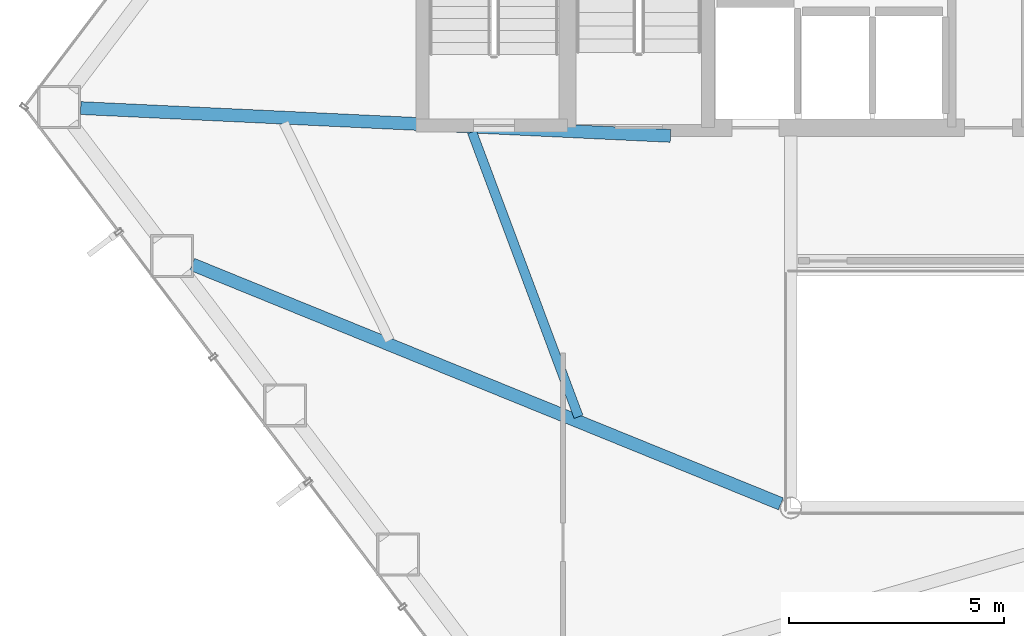
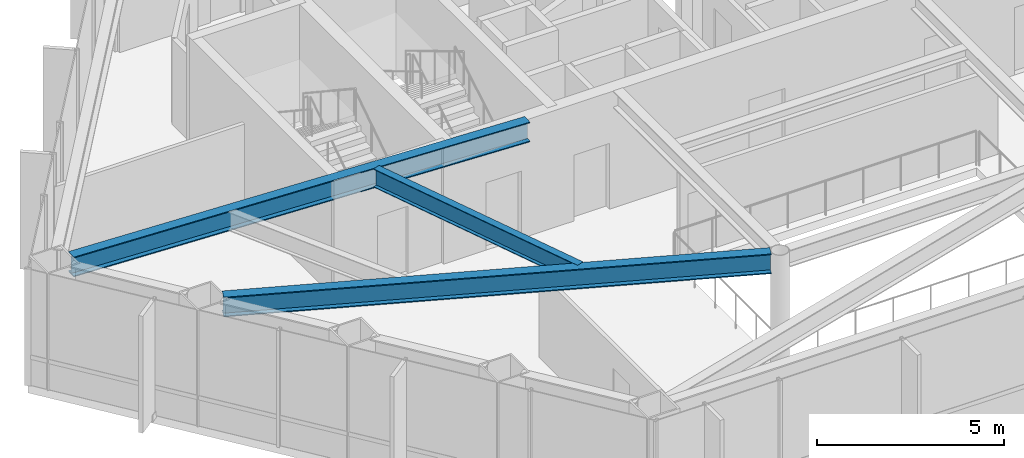
# One storey, part 4 of 26: 3 beams.
"""IFC4 building model written with IfcOpenShell, lengths in metres."""

from ifc_helpers import new_model, si_unit, direction, frame, origin, origin_2d, place, context, subcontext, project, spatial, i_section, extrude, material, material_profile, profile_set, type_object, element, save


model = new_model("IFC4")

# Units and contexts
model_context = context("Model", 3, precision=1e-05, world=origin(), true_north=direction((0.0, 1.0)))
body_context = subcontext(model_context, "Body", "Model", "MODEL_VIEW")
ifc_project = project(units=[si_unit("LENGTHUNIT", "METRE"), si_unit("AREAUNIT", "SQUARE_METRE"), si_unit("VOLUMEUNIT", "CUBIC_METRE"), si_unit("PLANEANGLEUNIT", "RADIAN"), si_unit("MASSUNIT", "GRAM", prefix="KILO")], contexts=[model_context])

# Site, building, storey
site_placement = place(None, origin())
site = spatial("IfcSite", under=ifc_project, at=site_placement, CompositionType="ELEMENT")
building_placement = place(site_placement, origin())
building = spatial("IfcBuilding", under=site, at=building_placement, Name="Zarrinselat Tower", CompositionType="ELEMENT")
storey_placement = place(building_placement, frame((0.0, 0.0, 31.6201171875)))
storey = spatial("IfcBuildingStorey", under=building, at=storey_placement, Name="L07", CompositionType="ELEMENT", Elevation=31.6201171875)

# Beams
ifc_material_1 = material(Name="Steel S355J2", Category="steel")
ifc_material_profile_1 = material_profile(ifc_material_1, i_section(OverallWidth=0.300048828125, OverallDepth=0.64990234375, WebThickness=0.01611328125, FlangeThickness=0.031005859375, at=origin_2d()), Name="HEB 650")
ifc_profile_set_1 = profile_set([ifc_material_profile_1], Name="Steel S355J2")
beam_type_1 = type_object("IfcBeamType", Name="BM-HEB650", PredefinedType="BEAM", material=ifc_profile_set_1)
beam_1_placement = place(storey_placement, frame((17.26953125, 33.707763671875, 3.494873046875), z_axis=(0.998889215529, -0.047120431878, 0.0), x_axis=(0.047120431878, 0.998889215529, 0.0)))
element("IfcBeam", 1, at=beam_1_placement, inside=storey, type_object=beam_type_1, Name="L07 Radial Primary Girder RG06", PredefinedType="BEAM", context=body_context, shape_type="SweptSolid", body=[
    extrude(i_section(OverallWidth=0.300048828125, OverallDepth=0.64990234375, WebThickness=0.01611328125, FlangeThickness=0.031005859375, at=origin_2d()), origin(), (0.0, 0.0, 1.0), 13.745849609375),
])
beam_2_placement = place(storey_placement, frame((19.864013671875, 30.069580078125, 3.494873046875), z_axis=(0.926276754833, -0.376843964337, 0.0), x_axis=(0.376843964337, 0.926276754833, 0.0)))
element("IfcBeam", 2, at=beam_2_placement, inside=storey, type_object=beam_type_1, Name="L07 Radial Primary Girder RG07", PredefinedType="BEAM", context=body_context, shape_type="SweptSolid", body=[
    extrude(i_section(OverallWidth=0.300048828125, OverallDepth=0.64990234375, WebThickness=0.01611328125, FlangeThickness=0.031005859375, at=origin_2d()), origin(), (0.0, 0.0, 1.0), 14.795166015625),
])
ifc_material_2 = material(Name="Steel S355J2", Category="steel")
ifc_material_profile_2 = material_profile(ifc_material_2, i_section(OverallWidth=0.219970703125, OverallDepth=0.60009765625, WebThickness=0.011962890625, FlangeThickness=0.01904296875, at=origin_2d()), Name="IPE 600")
ifc_profile_set_2 = profile_set([ifc_material_profile_2], Name="Steel S355J2")
beam_type_2 = type_object("IfcBeamType", Name="BM-IPE600", PredefinedType="JOIST", material=ifc_profile_set_2)
beam_3_placement = place(storey_placement, frame((26.380615234375, 33.149169921875, 3.519775390625), z_axis=(0.350340703982, -0.93662233111, 0.0), x_axis=(0.93662233111, 0.350340703982, 0.0)))
element("IfcBeam", 3, at=beam_3_placement, inside=storey, type_object=beam_type_2, Name="L07 Composite Floor Joist 1-2", PredefinedType="JOIST", context=body_context, shape_type="SweptSolid", body=[
    extrude(i_section(OverallWidth=0.219970703125, OverallDepth=0.60009765625, WebThickness=0.011962890625, FlangeThickness=0.01904296875, at=origin_2d()), origin(), (0.0, 0.0, 1.0), 7.07666015625),
])

save(model, "model.ifc")
